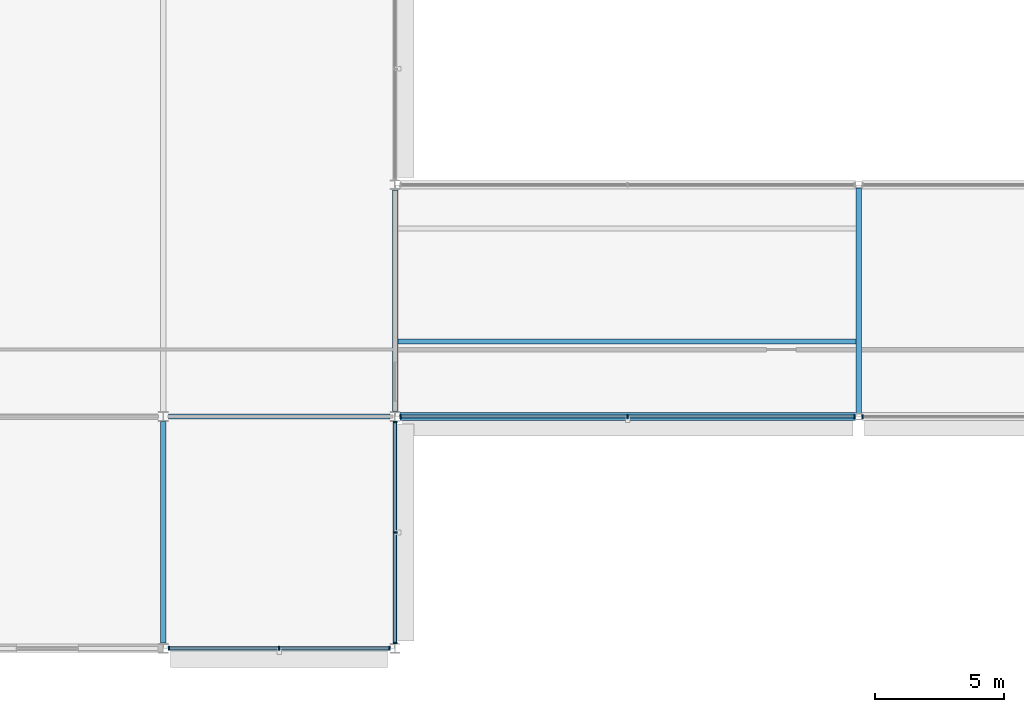
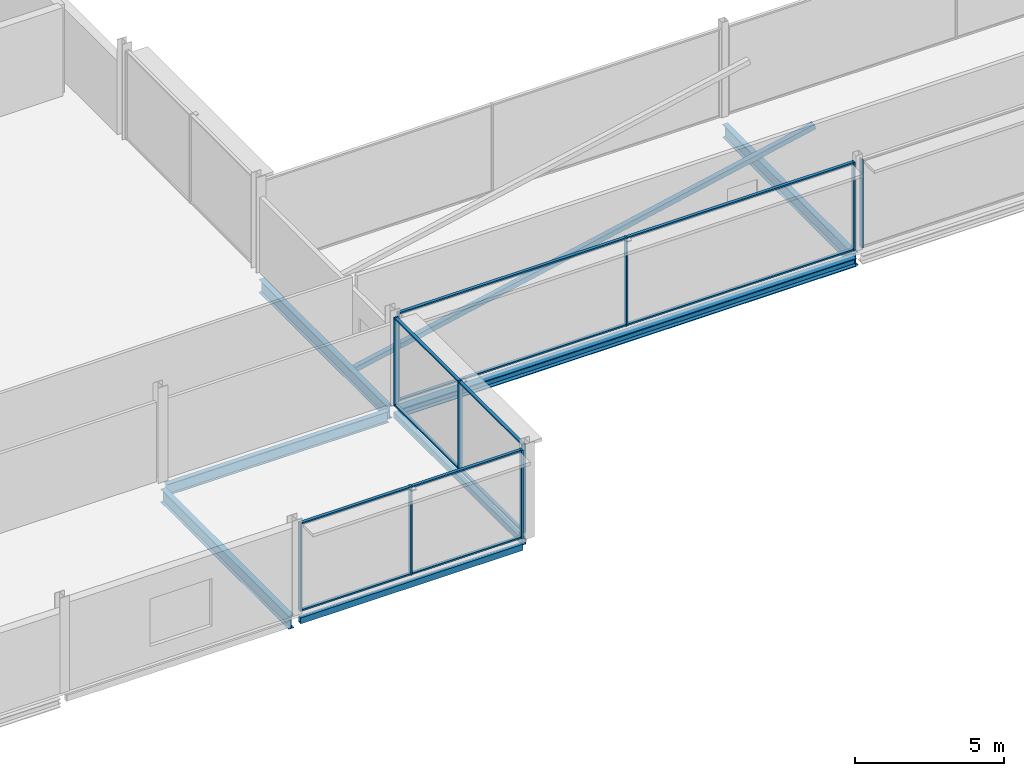
# One storey, part 18 of 98: 23 members, 7 beams, 4 elements without a shape of their own.
"""IFC4 building model written with IfcOpenShell, lengths in metres."""

from ifc_helpers import new_model, si_unit, direction, frame, origin, origin_2d, place, context, subcontext, project, spatial, rectangle, hollow_rectangle, i_section, extrude, material, layer, layer_set, material_profile, profile_set, type_object, element, aggregate, save


model = new_model("IFC4")

# Units and contexts
model_context = context("Model", 3, precision=1e-05, world=origin(), true_north=direction((0.0, 1.0)))
body_context = subcontext(model_context, "Body", "Model", "MODEL_VIEW")
ifc_project = project(units=[si_unit("LENGTHUNIT", "METRE"), si_unit("AREAUNIT", "SQUARE_METRE"), si_unit("VOLUMEUNIT", "CUBIC_METRE"), si_unit("PLANEANGLEUNIT", "RADIAN"), si_unit("MASSUNIT", "GRAM", prefix="KILO")], contexts=[model_context])

# Site, building, storey
site_placement = place(None, origin())
site = spatial("IfcSite", under=ifc_project, at=site_placement, CompositionType="ELEMENT")
building_placement = place(site_placement, origin())
building = spatial("IfcBuilding", under=site, at=building_placement, Name="Kisiwana Market Hall", CompositionType="ELEMENT")
storey_placement = place(building_placement, frame((0.0, 0.0, 29.39990234375)))
storey = spatial("IfcBuildingStorey", under=building, at=storey_placement, Name="L06", CompositionType="ELEMENT", Elevation=29.39990234375)

# Beams
ifc_material_1 = material(Name="Steel S355", Category="steel")
ifc_material_profile_1 = material_profile(ifc_material_1, i_section(OverallWidth=0.19140625, OverallDepth=0.4599609375, WebThickness=0.010009765625, FlangeThickness=0.01611328125, at=origin_2d()), Name="UB 457x191x82")
ifc_profile_set_1 = profile_set([ifc_material_profile_1], Name="Steel S355")
beam_type_1 = type_object("IfcBeamType", Name="BM-GIRD-UB457H", PredefinedType="BEAM", material=ifc_profile_set_1)
beam_1_placement = place(storey_placement, frame((36.19921875, 18.0, -0.474853515625), z_axis=(1.0, 0.0, 0.0), x_axis=(0.0, 1.0, 0.0)))
element("IfcBeam", 1, at=beam_1_placement, inside=storey, type_object=beam_type_1, Name="Floor beam B-1786", PredefinedType="BEAM", context=body_context, shape_type="SweptSolid", body=[
    extrude(i_section(OverallWidth=0.19140625, OverallDepth=0.4599609375, WebThickness=0.010009765625, FlangeThickness=0.01611328125, at=origin_2d()), origin(), (0.0, 0.0, 1.0), 8.6015625),
])
ifc_material_2 = material(Name="Steel S355", Category="steel")
ifc_material_profile_2 = material_profile(ifc_material_2, i_section(OverallWidth=0.209228515625, OverallDepth=0.533203125, WebThickness=0.010009765625, FlangeThickness=0.015625, at=origin_2d()), Name="UB 533x210x92")
ifc_profile_set_2 = profile_set([ifc_material_profile_2], Name="Steel S355")
beam_type_2 = type_object("IfcBeamType", Name="BM-GIRD-UB533", PredefinedType="BEAM", material=ifc_profile_set_2)
for number, where, z_axis, x_axis, name in (
    (2, (36.0, 9.19921875, -0.511474609375), (0.0, 1.0, 0.0), (-1.0, 0.0, 0.0), "Primary girder B-1711"),
    (3, (45.0, 18.19921875, -0.531494140625), (0.0, 1.0, 0.0), (-1.0, 0.0, 0.0), "Primary girder B-1717"),
):
    element("IfcBeam", number, at=place(storey_placement, frame(where, z_axis=z_axis, x_axis=x_axis)), inside=storey, type_object=beam_type_2, Name=name, PredefinedType="BEAM", context=body_context, shape_type="SweptSolid", body=[
        extrude(i_section(OverallWidth=0.209228515625, OverallDepth=0.533203125, WebThickness=0.010009765625, FlangeThickness=0.015625, at=origin_2d()), origin(), (0.0, 0.0, 1.0), 8.6015625),
    ])
beam_2_placement = place(storey_placement, frame((63.0, 18.12109375, -0.531494140625), z_axis=(0.0, 1.0, 0.0), x_axis=(-1.0, 0.0, 0.0)))
element("IfcBeam", 4, at=beam_2_placement, inside=storey, type_object=beam_type_2, Name="Primary girder B-1719", PredefinedType="BEAM", context=body_context, shape_type="SweptSolid", body=[
    extrude(i_section(OverallWidth=0.209228515625, OverallDepth=0.533203125, WebThickness=0.010009765625, FlangeThickness=0.015625, at=origin_2d()), origin(), (0.0, 0.0, 1.0), 8.7578125),
])
ifc_material_3 = material(Name="Steel S355", Category="steel")
ifc_material_profile_3 = material_profile(ifc_material_3, i_section(OverallWidth=0.314453125, OverallDepth=0.33984375, WebThickness=0.01904296875, FlangeThickness=0.031494140625, at=origin_2d()), Name="UC 305x305x198")
ifc_profile_set_3 = profile_set([ifc_material_profile_3], Name="Steel S355")
beam_type_3 = type_object("IfcBeamType", Name="BM-SKYBR-CHORD", PredefinedType="BEAM", material=ifc_profile_set_3)
beam_3_placement = place(storey_placement, frame((45.19921875, 18.0, -0.434814453125), z_axis=(1.0, 0.0, 0.0), x_axis=(0.0, 1.0, 0.0)))
element("IfcBeam", 5, at=beam_3_placement, inside=storey, type_object=beam_type_3, Name="Floor beam B-1787", PredefinedType="BEAM", context=body_context, shape_type="SweptSolid", body=[
    extrude(i_section(OverallWidth=0.314453125, OverallDepth=0.33984375, WebThickness=0.01904296875, FlangeThickness=0.031494140625, at=origin_2d()), origin(), (0.0, 0.0, 1.0), 17.6796875),
])
ifc_material_4 = material(Name="Steel S355", Category="steel")
ifc_material_profile_4 = material_profile(ifc_material_4, hollow_rectangle(XDim=0.14990234375, YDim=0.25, WallThickness=0.010009765625, at=origin_2d()), Name="RHS 250x150x10.0")
ifc_profile_set_4 = profile_set([ifc_material_profile_4], Name="Steel S355")
beam_type_4 = type_object("IfcBeamType", Name="BM-SPAN-RHS250", PredefinedType="SPANDREL", material=ifc_profile_set_4)
for number, where, z_axis, x_axis, name in (
    (6, (36.19921875, 9.0, -0.369873046875), (1.0, 0.0, 0.0), (0.0, 1.0, 0.0), "Floor beam B-1778"),
    (7, (45.0, 9.19921875, -0.369873046875), (0.0, 1.0, 0.0), (-1.0, 0.0, 0.0), "Floor beam B-1857"),
):
    element("IfcBeam", number, at=place(storey_placement, frame(where, z_axis=z_axis, x_axis=x_axis)), inside=storey, type_object=beam_type_4, Name=name, PredefinedType="SPANDREL", context=body_context, shape_type="SweptSolid", body=[
        extrude(hollow_rectangle(XDim=0.14990234375, YDim=0.25, WallThickness=0.010009765625, at=origin_2d()), origin(), (0.0, 0.0, 1.0), 8.6015625),
    ])

# Curtain wall, members
ifc_material_5 = material(Name="Double-glazed solar-control low-E IGU", Category="glass")
ifc_layer = layer(ifc_material_5, 0.159912109375)
ifc_layer_set = layer_set([ifc_layer], Name="CW-ZNA-EW-8200")
curtain_wall_type = type_object("IfcCurtainWallType", Name="CW-ZNA-EW-8200", PredefinedType="USERDEFINED", material=ifc_layer_set)
curtain_wall_1_placement = place(storey_placement, origin())
curtain_wall_1 = element("IfcCurtainWall", 8, at=curtain_wall_1_placement, inside=storey, type_object=curtain_wall_type, Name="Unitised curtain wall CW-169 (L06)", ObjectType="UNITISED CURTAIN WALL", PredefinedType="USERDEFINED")
ifc_material_6 = material(Name="Aluminium alloy 6063-T6", Category="aluminium")
ifc_material_profile_5 = material_profile(ifc_material_6, rectangle(XDim=0.06005859375, YDim=0.159912109375, at=origin_2d()), Name="ALU MULLION 60x160")
ifc_profile_set_5 = profile_set([ifc_material_profile_5], Name="Aluminium alloy 6063-T6")
member_type_1 = type_object("IfcMemberType", Name="CW-MULL-60x160", PredefinedType="MULLION", material=ifc_profile_set_5)
member_1_placement = place(storey_placement, frame((36.21533203125, 9.0, 0.0), z_axis=(0.0, 0.0, 1.0), x_axis=(1.0, 0.0, 0.0)))
member_1 = element("IfcMember", 9, at=member_1_placement, type_object=member_type_1, Name="CW-169 mullion 1", PredefinedType="MULLION", context=body_context, shape_type="SweptSolid", body=[
    extrude(rectangle(XDim=0.06005859375, YDim=0.159912109375, at=origin_2d()), origin(), (0.0, 0.0, 1.0), 3.6201171875),
])
member_2_placement = place(storey_placement, frame((40.5, 9.0, 0.0), z_axis=(0.0, 0.0, 1.0), x_axis=(1.0, 0.0, 0.0)))
member_2 = element("IfcMember", 10, at=member_2_placement, type_object=member_type_1, Name="CW-169 mullion 2", PredefinedType="MULLION", context=body_context, shape_type="SweptSolid", body=[
    extrude(rectangle(XDim=0.06005859375, YDim=0.159912109375, at=origin_2d()), origin(), (0.0, 0.0, 1.0), 3.6201171875),
])
member_3_placement = place(storey_placement, frame((44.78466796875, 9.0, 0.0), z_axis=(0.0, 0.0, 1.0), x_axis=(1.0, 0.0, 0.0)))
member_3 = element("IfcMember", 11, at=member_3_placement, type_object=member_type_1, Name="CW-169 mullion 3", PredefinedType="MULLION", context=body_context, shape_type="SweptSolid", body=[
    extrude(rectangle(XDim=0.06005859375, YDim=0.159912109375, at=origin_2d()), origin(), (0.0, 0.0, 1.0), 3.6201171875),
])

curtain_wall_2_placement = place(storey_placement, origin())
curtain_wall_2 = element("IfcCurtainWall", 12, at=curtain_wall_2_placement, inside=storey, type_object=curtain_wall_type, Name="Unitised curtain wall CW-172 (L06)", ObjectType="UNITISED CURTAIN WALL", PredefinedType="USERDEFINED")
member_4_placement = place(storey_placement, frame((45.21533203125, 18.0, 0.0), z_axis=(0.0, 0.0, 1.0), x_axis=(1.0, 0.0, 0.0)))
member_4 = element("IfcMember", 13, at=member_4_placement, type_object=member_type_1, Name="CW-172 mullion 1", PredefinedType="MULLION", context=body_context, shape_type="SweptSolid", body=[
    extrude(rectangle(XDim=0.06005859375, YDim=0.159912109375, at=origin_2d()), origin(), (0.0, 0.0, 1.0), 3.6201171875),
])
member_5_placement = place(storey_placement, frame((54.030029296875, 18.0, 0.0), z_axis=(0.0, 0.0, 1.0), x_axis=(1.0, 0.0, 0.0)))
member_5 = element("IfcMember", 14, at=member_5_placement, type_object=member_type_1, Name="CW-172 mullion 2", PredefinedType="MULLION", context=body_context, shape_type="SweptSolid", body=[
    extrude(rectangle(XDim=0.06005859375, YDim=0.159912109375, at=origin_2d()), origin(), (0.0, 0.0, 1.0), 3.6201171875),
])
member_6_placement = place(storey_placement, frame((62.844970703125, 18.0, 0.0), z_axis=(0.0, 0.0, 1.0), x_axis=(1.0, 0.0, 0.0)))
member_6 = element("IfcMember", 15, at=member_6_placement, type_object=member_type_1, Name="CW-172 mullion 3", PredefinedType="MULLION", context=body_context, shape_type="SweptSolid", body=[
    extrude(rectangle(XDim=0.06005859375, YDim=0.159912109375, at=origin_2d()), origin(), (0.0, 0.0, 1.0), 3.6201171875),
])

# Curtain wall, member
curtain_wall_3_placement = place(storey_placement, origin())
curtain_wall_3 = element("IfcCurtainWall", 16, at=curtain_wall_3_placement, inside=storey, type_object=curtain_wall_type, Name="Unitised curtain wall CW-173 (L06)", ObjectType="UNITISED CURTAIN WALL", PredefinedType="USERDEFINED")
member_7_placement = place(storey_placement, frame((63.155029296875, 18.0, 0.0), z_axis=(0.0, 0.0, 1.0), x_axis=(1.0, 0.0, 0.0)))
member_7 = element("IfcMember", 17, at=member_7_placement, type_object=member_type_1, Name="CW-173 mullion 1", PredefinedType="MULLION", context=body_context, shape_type="SweptSolid", body=[
    extrude(rectangle(XDim=0.06005859375, YDim=0.159912109375, at=origin_2d()), origin(), (0.0, 0.0, 1.0), 3.6201171875),
])
aggregate(curtain_wall_3, [member_7])

# Curtain wall, members
curtain_wall_4_placement = place(storey_placement, origin())
curtain_wall_4 = element("IfcCurtainWall", 18, at=curtain_wall_4_placement, inside=storey, type_object=curtain_wall_type, Name="Unitised curtain wall CW-200 (L06)", ObjectType="UNITISED CURTAIN WALL", PredefinedType="USERDEFINED")
member_8_placement = place(storey_placement, frame((45.0, 9.2109375, 0.0), z_axis=(0.0, 0.0, 1.0), x_axis=(0.0, 1.0, 0.0)))
member_8 = element("IfcMember", 19, at=member_8_placement, type_object=member_type_1, Name="CW-200 mullion 1", PredefinedType="MULLION", context=body_context, shape_type="SweptSolid", body=[
    extrude(rectangle(XDim=0.06005859375, YDim=0.159912109375, at=origin_2d()), origin(), (0.0, 0.0, 1.0), 3.6201171875),
])
member_9_placement = place(storey_placement, frame((45.0, 13.5, 0.0), z_axis=(0.0, 0.0, 1.0), x_axis=(0.0, 1.0, 0.0)))
member_9 = element("IfcMember", 20, at=member_9_placement, type_object=member_type_1, Name="CW-200 mullion 2", PredefinedType="MULLION", context=body_context, shape_type="SweptSolid", body=[
    extrude(rectangle(XDim=0.06005859375, YDim=0.159912109375, at=origin_2d()), origin(), (0.0, 0.0, 1.0), 3.6201171875),
])
member_10_placement = place(storey_placement, frame((45.0, 17.7890625, 0.0), z_axis=(0.0, 0.0, 1.0), x_axis=(0.0, 1.0, 0.0)))
member_10 = element("IfcMember", 21, at=member_10_placement, type_object=member_type_1, Name="CW-200 mullion 3", PredefinedType="MULLION", context=body_context, shape_type="SweptSolid", body=[
    extrude(rectangle(XDim=0.06005859375, YDim=0.159912109375, at=origin_2d()), origin(), (0.0, 0.0, 1.0), 3.6201171875),
])

# Member
ifc_material_7 = material(Name="Aluminium alloy 6063-T6", Category="aluminium")
ifc_material_profile_6 = material_profile(ifc_material_7, rectangle(XDim=0.1201171875, YDim=0.06005859375, at=origin_2d()), Name="ALU TRANSOM 60x120")
ifc_profile_set_6 = profile_set([ifc_material_profile_6], Name="Aluminium alloy 6063-T6")
member_type_2 = type_object("IfcMemberType", Name="CW-TRAN-60x120", PredefinedType="USERDEFINED", material=ifc_profile_set_6)
member_11_placement = place(storey_placement, frame((36.245361328125, 9.0, 0.030029296875), z_axis=(1.0, 0.0, 0.0), x_axis=(0.0, 1.0, 0.0)))
member_11 = element("IfcMember", 22, at=member_11_placement, type_object=member_type_2, Name="CW-169 transom 1.1", ObjectType="TRANSOM", PredefinedType="USERDEFINED", context=body_context, shape_type="SweptSolid", body=[
    extrude(rectangle(XDim=0.1201171875, YDim=0.06005859375, at=origin_2d()), origin(), (0.0, 0.0, 1.0), 4.224609375),
])

member_12_placement = place(storey_placement, frame((36.245361328125, 9.0, 3.590087890625), z_axis=(1.0, 0.0, 0.0), x_axis=(0.0, 1.0, 0.0)))
member_12 = element("IfcMember", 23, at=member_12_placement, type_object=member_type_2, Name="CW-169 transom 1.2", ObjectType="TRANSOM", PredefinedType="USERDEFINED", context=body_context, shape_type="SweptSolid", body=[
    extrude(rectangle(XDim=0.1201171875, YDim=0.06005859375, at=origin_2d()), origin(), (0.0, 0.0, 1.0), 4.224609375),
])

member_13_placement = place(storey_placement, frame((40.530029296875, 9.0, 0.030029296875), z_axis=(1.0, 0.0, 0.0), x_axis=(0.0, 1.0, 0.0)))
member_13 = element("IfcMember", 24, at=member_13_placement, type_object=member_type_2, Name="CW-169 transom 2.1", ObjectType="TRANSOM", PredefinedType="USERDEFINED", context=body_context, shape_type="SweptSolid", body=[
    extrude(rectangle(XDim=0.1201171875, YDim=0.06005859375, at=origin_2d()), origin(), (0.0, 0.0, 1.0), 4.224609375),
])

member_14_placement = place(storey_placement, frame((40.530029296875, 9.0, 3.590087890625), z_axis=(1.0, 0.0, 0.0), x_axis=(0.0, 1.0, 0.0)))
member_14 = element("IfcMember", 25, at=member_14_placement, type_object=member_type_2, Name="CW-169 transom 2.2", ObjectType="TRANSOM", PredefinedType="USERDEFINED", context=body_context, shape_type="SweptSolid", body=[
    extrude(rectangle(XDim=0.1201171875, YDim=0.06005859375, at=origin_2d()), origin(), (0.0, 0.0, 1.0), 4.224609375),
])

aggregate(curtain_wall_1, [member_1, member_2, member_3, member_11, member_12, member_13, member_14])

member_15_placement = place(storey_placement, frame((45.245361328125, 18.0, 0.030029296875), z_axis=(1.0, 0.0, 0.0), x_axis=(0.0, 1.0, 0.0)))
member_15 = element("IfcMember", 26, at=member_15_placement, type_object=member_type_2, Name="CW-172 transom 1.1", ObjectType="TRANSOM", PredefinedType="USERDEFINED", context=body_context, shape_type="SweptSolid", body=[
    extrude(rectangle(XDim=0.1201171875, YDim=0.06005859375, at=origin_2d()), origin(), (0.0, 0.0, 1.0), 8.7548828125),
])

member_16_placement = place(storey_placement, frame((45.245361328125, 18.0, 3.590087890625), z_axis=(1.0, 0.0, 0.0), x_axis=(0.0, 1.0, 0.0)))
member_16 = element("IfcMember", 27, at=member_16_placement, type_object=member_type_2, Name="CW-172 transom 1.2", ObjectType="TRANSOM", PredefinedType="USERDEFINED", context=body_context, shape_type="SweptSolid", body=[
    extrude(rectangle(XDim=0.1201171875, YDim=0.06005859375, at=origin_2d()), origin(), (0.0, 0.0, 1.0), 8.7548828125),
])

member_17_placement = place(storey_placement, frame((54.06005859375, 18.0, 0.030029296875), z_axis=(1.0, 0.0, 0.0), x_axis=(0.0, 1.0, 0.0)))
member_17 = element("IfcMember", 28, at=member_17_placement, type_object=member_type_2, Name="CW-172 transom 2.1", ObjectType="TRANSOM", PredefinedType="USERDEFINED", context=body_context, shape_type="SweptSolid", body=[
    extrude(rectangle(XDim=0.1201171875, YDim=0.06005859375, at=origin_2d()), origin(), (0.0, 0.0, 1.0), 8.7548828125),
])

member_18_placement = place(storey_placement, frame((54.06005859375, 18.0, 3.590087890625), z_axis=(1.0, 0.0, 0.0), x_axis=(0.0, 1.0, 0.0)))
member_18 = element("IfcMember", 29, at=member_18_placement, type_object=member_type_2, Name="CW-172 transom 2.2", ObjectType="TRANSOM", PredefinedType="USERDEFINED", context=body_context, shape_type="SweptSolid", body=[
    extrude(rectangle(XDim=0.1201171875, YDim=0.06005859375, at=origin_2d()), origin(), (0.0, 0.0, 1.0), 8.7548828125),
])

aggregate(curtain_wall_2, [member_4, member_5, member_6, member_15, member_16, member_17, member_18])

member_19_placement = place(storey_placement, frame((45.0, 9.240966796875, 0.030029296875), z_axis=(0.0, 1.0, 0.0), x_axis=(-1.0, 0.0, 0.0)))
member_19 = element("IfcMember", 30, at=member_19_placement, type_object=member_type_2, Name="CW-200 transom 1.1", ObjectType="TRANSOM", PredefinedType="USERDEFINED", context=body_context, shape_type="SweptSolid", body=[
    extrude(rectangle(XDim=0.1201171875, YDim=0.06005859375, at=origin_2d()), origin(), (0.0, 0.0, 1.0), 4.22900390625),
])

member_20_placement = place(storey_placement, frame((45.0, 9.240966796875, 3.590087890625), z_axis=(0.0, 1.0, 0.0), x_axis=(-1.0, 0.0, 0.0)))
member_20 = element("IfcMember", 31, at=member_20_placement, type_object=member_type_2, Name="CW-200 transom 1.2", ObjectType="TRANSOM", PredefinedType="USERDEFINED", context=body_context, shape_type="SweptSolid", body=[
    extrude(rectangle(XDim=0.1201171875, YDim=0.06005859375, at=origin_2d()), origin(), (0.0, 0.0, 1.0), 4.22900390625),
])

member_21_placement = place(storey_placement, frame((45.0, 13.530029296875, 0.030029296875), z_axis=(0.0, 1.0, 0.0), x_axis=(-1.0, 0.0, 0.0)))
member_21 = element("IfcMember", 32, at=member_21_placement, type_object=member_type_2, Name="CW-200 transom 2.1", ObjectType="TRANSOM", PredefinedType="USERDEFINED", context=body_context, shape_type="SweptSolid", body=[
    extrude(rectangle(XDim=0.1201171875, YDim=0.06005859375, at=origin_2d()), origin(), (0.0, 0.0, 1.0), 4.22900390625),
])

member_22_placement = place(storey_placement, frame((45.0, 13.530029296875, 3.590087890625), z_axis=(0.0, 1.0, 0.0), x_axis=(-1.0, 0.0, 0.0)))
member_22 = element("IfcMember", 33, at=member_22_placement, type_object=member_type_2, Name="CW-200 transom 2.2", ObjectType="TRANSOM", PredefinedType="USERDEFINED", context=body_context, shape_type="SweptSolid", body=[
    extrude(rectangle(XDim=0.1201171875, YDim=0.06005859375, at=origin_2d()), origin(), (0.0, 0.0, 1.0), 4.22900390625),
])

aggregate(curtain_wall_4, [member_8, member_9, member_10, member_19, member_20, member_21, member_22])

ifc_material_8 = material(Name="Steel S355", Category="steel")
ifc_material_profile_7 = material_profile(ifc_material_8, hollow_rectangle(XDim=0.199951171875, YDim=0.199951171875, WallThickness=0.010009765625, at=origin_2d()), Name="SHS 200x200x10.0")
ifc_profile_set_7 = profile_set([ifc_material_profile_7], Name="Steel S355")
member_type_3 = type_object("IfcMemberType", Name="MB-SKY-DIAG200", PredefinedType="BRACE", material=ifc_profile_set_7)
member_23_placement = place(storey_placement, frame((45.0, 20.919921875, -0.5), z_axis=(0.978762510891, 0.0, 0.204997432362), x_axis=(0.0, 1.0, 0.0)))
element("IfcMember", 34, at=member_23_placement, inside=storey, type_object=member_type_3, Name="Skybridge truss diagonal L06 grids 6 to 8 M-0494", PredefinedType="BRACE", context=body_context, shape_type="SweptSolid", body=[
    extrude(hollow_rectangle(XDim=0.199951171875, YDim=0.199951171875, WallThickness=0.010009765625, at=origin_2d()), origin(), (0.0, 0.0, 1.0), 18.390625),
])

save(model, "model.ifc")
